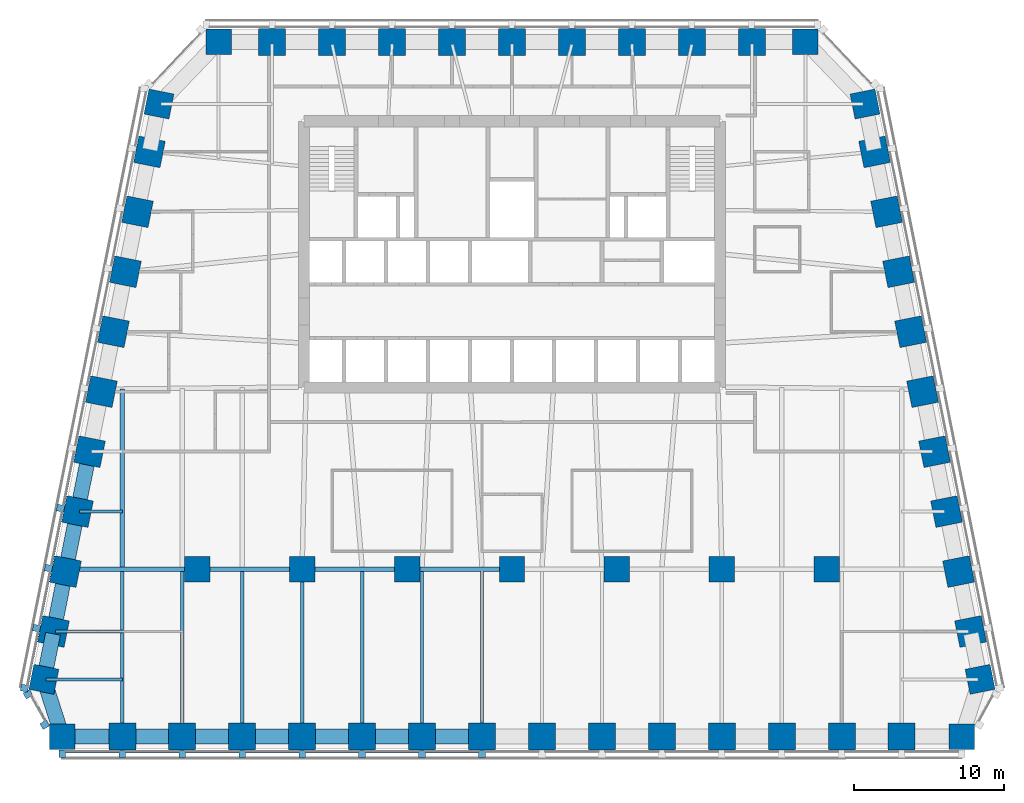
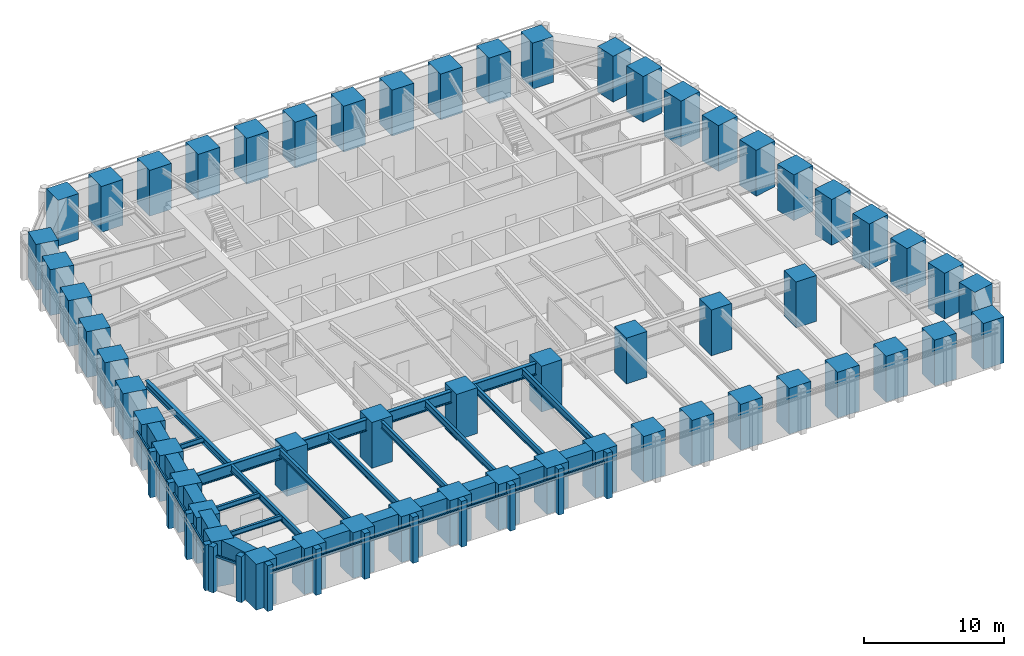
# One storey, part 1 of 10: 56 columns, 27 beams, 26 members, 3 elements without a shape of their own.
"""IFC4 building model written with IfcOpenShell, lengths in metres."""

from ifc_helpers import new_model, si_unit, direction, frame, origin, origin_2d, place, context, subcontext, project, spatial, rectangle, i_section, extrude, material, material_profile, profile_set, type_object, element, aggregate, save


model = new_model("IFC4")

# Units and contexts
model_context = context("Model", 3, precision=1e-05, world=origin(), true_north=direction((0.0, 1.0)))
body_context = subcontext(model_context, "Body", "Model", "MODEL_VIEW")
ifc_project = project(units=[si_unit("LENGTHUNIT", "METRE"), si_unit("AREAUNIT", "SQUARE_METRE"), si_unit("VOLUMEUNIT", "CUBIC_METRE"), si_unit("PLANEANGLEUNIT", "RADIAN"), si_unit("MASSUNIT", "GRAM", prefix="KILO")], contexts=[model_context])

# Site, building, storey
site_placement = place(None, origin())
site = spatial("IfcSite", under=ifc_project, at=site_placement, CompositionType="ELEMENT")
building_placement = place(site_placement, origin())
building = spatial("IfcBuilding", under=site, at=building_placement, Name="Isbrekke Arena Tower", CompositionType="ELEMENT")
storey_placement = place(building_placement, frame((0.0, 0.0, 123.0)))
storey = spatial("IfcBuildingStorey", under=building, at=storey_placement, Name="L27", CompositionType="ELEMENT", Elevation=123.0)

# Columns
ifc_material_1 = material(Name="Concrete B80 (C80/95)", Category="concrete")
ifc_material_profile_1 = material_profile(ifc_material_1, rectangle(XDim=1.699951171875, YDim=1.699951171875, at=origin_2d()), Name="RC 1700x1700")
ifc_profile_set_1 = profile_set([ifc_material_profile_1], Name="Concrete B80 (C80/95)")
column_type_1 = type_object("IfcColumnType", Name="C12 RC 1700 x 1700", PredefinedType="COLUMN", material=ifc_profile_set_1)
for number, where, z_axis, x_axis, name in (
    (1, (-21.0, -6.0, 0.0), (0.0, 0.0, 1.0), (1.0, 0.0, 0.0), "C12 I01"),
    (2, (-14.0, -6.0, 0.0), (0.0, 0.0, 1.0), (1.0, 0.0, 0.0), "C12 I02"),
    (3, (-7.0, -6.0, 0.0), (0.0, 0.0, 1.0), (1.0, 0.0, 0.0), "C12 I03"),
    (4, (0.0, -6.0, 0.0), (0.0, 0.0, 1.0), (1.0, 0.0, 0.0), "C12 I04"),
    (5, (7.0, -6.0, 0.0), (0.0, 0.0, 1.0), (1.0, 0.0, 0.0), "C12 I05"),
    (6, (14.0, -6.0, 0.0), (0.0, 0.0, 1.0), (1.0, 0.0, 0.0), "C12 I06"),
    (7, (21.0, -6.0, 0.0), (0.0, 0.0, 1.0), (1.0, 0.0, 0.0), "C12 I07"),
):
    element("IfcColumn", number, at=place(storey_placement, frame(where, z_axis=z_axis, x_axis=x_axis)), inside=storey, type_object=column_type_1, Name=name, PredefinedType="COLUMN", context=body_context, shape_type="SweptSolid", body=[
        extrude(rectangle(XDim=1.699951171875, YDim=1.699951171875, at=origin_2d()), origin(), (0.0, 0.0, 1.0), 4.0),
    ])
ifc_material_2 = material(Name="Concrete B80 (C80/95)", Category="concrete")
ifc_material_profile_2 = material_profile(ifc_material_2, rectangle(XDim=1.800048828125, YDim=1.800048828125, at=origin_2d()), Name="RC 1800x1800")
ifc_profile_set_2 = profile_set([ifc_material_profile_2], Name="Concrete B80 (C80/95)")
column_type_2 = type_object("IfcColumnType", Name="C3 RC 1800 x 1800", PredefinedType="COLUMN", material=ifc_profile_set_2)
for number, where, z_axis, x_axis, name in (
    (8, (-26.0, -17.175048828125, 0.0), (0.0, 0.0, 1.0), (1.0, 0.0, 0.0), "C3 S02"),
    (9, (-22.0, -17.175048828125, 0.0), (0.0, 0.0, 1.0), (1.0, 0.0, 0.0), "C3 S03"),
    (10, (-18.0, -17.175048828125, 0.0), (0.0, 0.0, 1.0), (1.0, 0.0, 0.0), "C3 S04"),
    (11, (-14.0, -17.175048828125, 0.0), (0.0, 0.0, 1.0), (1.0, 0.0, 0.0), "C3 S05"),
    (12, (-10.0, -17.175048828125, 0.0), (0.0, 0.0, 1.0), (1.0, 0.0, 0.0), "C3 S06"),
    (13, (-6.0, -17.175048828125, 0.0), (0.0, 0.0, 1.0), (1.0, 0.0, 0.0), "C3 S07"),
    (14, (-2.0, -17.175048828125, 0.0), (0.0, 0.0, 1.0), (1.0, 0.0, 0.0), "C3 S08"),
    (15, (2.0, -17.175048828125, 0.0), (0.0, 0.0, 1.0), (1.0, 0.0, 0.0), "C3 S09"),
    (16, (6.0, -17.175048828125, 0.0), (0.0, 0.0, 1.0), (1.0, 0.0, 0.0), "C3 S10"),
    (17, (10.0, -17.175048828125, 0.0), (0.0, 0.0, 1.0), (1.0, 0.0, 0.0), "C3 S11"),
    (18, (14.0, -17.175048828125, 0.0), (0.0, 0.0, 1.0), (1.0, 0.0, 0.0), "C3 S12"),
    (19, (18.0, -17.175048828125, 0.0), (0.0, 0.0, 1.0), (1.0, 0.0, 0.0), "C3 S13"),
    (20, (22.0, -17.175048828125, 0.0), (0.0, 0.0, 1.0), (1.0, 0.0, 0.0), "C3 S14"),
    (21, (26.0, -17.175048828125, 0.0), (0.0, 0.0, 1.0), (1.0, 0.0, 0.0), "C3 S15"),
    (22, (30.591064453125, -10.161865234375, 0.0), (0.0, 0.0, 1.0), (-0.196116135138, 0.980580675691, 0.0), "C3 E02"),
    (23, (29.791015625, -6.161865234375, 0.0), (0.0, 0.0, 1.0), (-0.196116135138, 0.980580675691, 0.0), "C3 E03"),
    (24, (28.990966796875, -2.161865234375, 0.0), (0.0, 0.0, 1.0), (-0.196116135138, 0.980580675691, 0.0), "C3 E04"),
    (25, (28.19091796875, 1.838134765625, 0.0), (0.0, 0.0, 1.0), (-0.196116135138, 0.980580675691, 0.0), "C3 E05"),
    (26, (27.39111328125, 5.838134765625, 0.0), (0.0, 0.0, 1.0), (-0.196116135138, 0.980580675691, 0.0), "C3 E06"),
    (27, (26.591064453125, 9.838134765625, 0.0), (0.0, 0.0, 1.0), (-0.196116135138, 0.980580675691, 0.0), "C3 E07"),
    (28, (25.791015625, 13.838134765625, 0.0), (0.0, 0.0, 1.0), (-0.196116135138, 0.980580675691, 0.0), "C3 E08"),
    (29, (24.990966796875, 17.838134765625, 0.0), (0.0, 0.0, 1.0), (-0.196116135138, 0.980580675691, 0.0), "C3 E09"),
    (30, (24.19091796875, 21.838134765625, 0.0), (0.0, 0.0, 1.0), (-0.196116135138, 0.980580675691, 0.0), "C3 E10"),
    (31, (16.0, 29.175048828125, 0.0), (0.0, 0.0, 1.0), (-1.0, 0.0, 0.0), "C3 N02"),
    (32, (12.0, 29.175048828125, 0.0), (0.0, 0.0, 1.0), (-1.0, 0.0, 0.0), "C3 N03"),
    (33, (8.0, 29.175048828125, 0.0), (0.0, 0.0, 1.0), (-1.0, 0.0, 0.0), "C3 N04"),
    (34, (4.0, 29.175048828125, 0.0), (0.0, 0.0, 1.0), (-1.0, 0.0, 0.0), "C3 N05"),
    (35, (0.0, 29.175048828125, 0.0), (0.0, 0.0, 1.0), (-1.0, 0.0, 0.0), "C3 N06"),
    (36, (-4.0, 29.175048828125, 0.0), (0.0, 0.0, 1.0), (-1.0, 0.0, 0.0), "C3 N07"),
    (37, (-8.0, 29.175048828125, 0.0), (0.0, 0.0, 1.0), (-1.0, 0.0, 0.0), "C3 N08"),
    (38, (-12.0, 29.175048828125, 0.0), (0.0, 0.0, 1.0), (-1.0, 0.0, 0.0), "C3 N09"),
    (39, (-16.0, 29.175048828125, 0.0), (0.0, 0.0, 1.0), (-1.0, 0.0, 0.0), "C3 N10"),
    (40, (-24.19091796875, 21.838134765625, 0.0), (0.0, 0.0, 1.0), (-0.196116135138, -0.980580675691, 0.0), "C3 W02"),
    (41, (-24.990966796875, 17.838134765625, 0.0), (0.0, 0.0, 1.0), (-0.196116135138, -0.980580675691, 0.0), "C3 W03"),
    (42, (-25.791015625, 13.838134765625, 0.0), (0.0, 0.0, 1.0), (-0.196116135138, -0.980580675691, 0.0), "C3 W04"),
    (43, (-26.591064453125, 9.838134765625, 0.0), (0.0, 0.0, 1.0), (-0.196116135138, -0.980580675691, 0.0), "C3 W05"),
    (44, (-27.39111328125, 5.838134765625, 0.0), (0.0, 0.0, 1.0), (-0.196116135138, -0.980580675691, 0.0), "C3 W06"),
    (45, (-28.19091796875, 1.838134765625, 0.0), (0.0, 0.0, 1.0), (-0.196116135138, -0.980580675691, 0.0), "C3 W07"),
    (46, (-28.990966796875, -2.161865234375, 0.0), (0.0, 0.0, 1.0), (-0.196116135138, -0.980580675691, 0.0), "C3 W08"),
    (47, (-29.791015625, -6.161865234375, 0.0), (0.0, 0.0, 1.0), (-0.196116135138, -0.980580675691, 0.0), "C3 W09"),
    (48, (-30.591064453125, -10.161865234375, 0.0), (0.0, 0.0, 1.0), (-0.196116135138, -0.980580675691, 0.0), "C3 W10"),
):
    element("IfcColumn", number, at=place(storey_placement, frame(where, z_axis=z_axis, x_axis=x_axis)), inside=storey, type_object=column_type_2, Name=name, PredefinedType="COLUMN", context=body_context, shape_type="SweptSolid", body=[
        extrude(rectangle(XDim=1.800048828125, YDim=1.800048828125, at=origin_2d()), origin(), (0.0, 0.0, 1.0), 4.0),
    ])
ifc_material_3 = material(Name="Concrete B80 (C80/95)", Category="concrete")
ifc_material_profile_3 = material_profile(ifc_material_3, rectangle(XDim=1.699951171875, YDim=1.699951171875, at=origin_2d()), Name="RC 1700x1700")
ifc_profile_set_3 = profile_set([ifc_material_profile_3], Name="Concrete B80 (C80/95)")
column_type_3 = type_object("IfcColumnType", Name="C7 RC 1700 x 1700", PredefinedType="COLUMN", material=ifc_profile_set_3)
for number, where, z_axis, x_axis, name in (
    (49, (-30.0, -17.175048828125, 0.0), (0.0, 0.0, 1.0), (1.0, 0.0, 0.0), "C7 S01"),
    (50, (30.0, -17.175048828125, 0.0), (0.0, 0.0, 1.0), (1.0, 0.0, 0.0), "C7 S16"),
    (51, (31.229248046875, -13.352783203125, 0.0), (0.0, 0.0, 1.0), (-0.196116135138, 0.980580675691, 0.0), "C7 E01"),
    (52, (23.552734375, 25.029296875, 0.0), (0.0, 0.0, 1.0), (-0.196116135138, 0.980580675691, 0.0), "C7 E11"),
    (53, (19.574951171875, 29.175048828125, 0.0), (0.0, 0.0, 1.0), (-1.0, 0.0, 0.0), "C7 N01"),
    (54, (-19.574951171875, 29.175048828125, 0.0), (0.0, 0.0, 1.0), (-1.0, 0.0, 0.0), "C7 N11"),
    (55, (-23.552734375, 25.029296875, 0.0), (0.0, 0.0, 1.0), (-0.196116135138, -0.980580675691, 0.0), "C7 W01"),
    (56, (-31.229248046875, -13.352783203125, 0.0), (0.0, 0.0, 1.0), (-0.196116135138, -0.980580675691, 0.0), "C7 W11"),
):
    element("IfcColumn", number, at=place(storey_placement, frame(where, z_axis=z_axis, x_axis=x_axis)), inside=storey, type_object=column_type_3, Name=name, PredefinedType="COLUMN", context=body_context, shape_type="SweptSolid", body=[
        extrude(rectangle(XDim=1.699951171875, YDim=1.699951171875, at=origin_2d()), origin(), (0.0, 0.0, 1.0), 4.0),
    ])

# Beams
ifc_material_4 = material(Name="Steel S355", Category="steel")
ifc_material_profile_4 = material_profile(ifc_material_4, i_section(OverallWidth=0.219970703125, OverallDepth=0.60009765625, WebThickness=0.011962890625, FlangeThickness=0.01904296875, FilletRadius=0.02392578125, at=origin_2d()), Name="IPE 600")
ifc_profile_set_4 = profile_set([ifc_material_profile_4], Name="Steel S355")
beam_type_1 = type_object("IfcBeamType", Name="B1 IPE 600", PredefinedType="BEAM", material=ifc_profile_set_4)
for number, where, z_axis, x_axis, name in (
    (57, (-26.0, -17.02490234375, 3.550048828125), (0.0, 1.0, 0.0), (-1.0, 0.0, 0.0), "B1 beam S-S02 L27"),
    (58, (-22.0, -17.02490234375, 3.550048828125), (0.0, 1.0, 0.0), (-1.0, 0.0, 0.0), "B1 beam S-S03 L27"),
    (59, (-18.0, -17.02490234375, 3.550048828125), (0.0, 1.0, 0.0), (-1.0, 0.0, 0.0), "B1 beam S-S04 L27"),
):
    element("IfcBeam", number, at=place(storey_placement, frame(where, z_axis=z_axis, x_axis=x_axis)), inside=storey, type_object=beam_type_1, Name=name, PredefinedType="BEAM", context=body_context, shape_type="SweptSolid", body=[
        extrude(i_section(OverallWidth=0.219970703125, OverallDepth=0.60009765625, WebThickness=0.011962890625, FlangeThickness=0.01904296875, FilletRadius=0.02392578125, at=origin_2d()), origin(), (0.0, 0.0, 1.0), 10.8740234375),
    ])
beam_1_placement = place(storey_placement, frame((-14.0, -17.02490234375, 3.550048828125), z_axis=(0.0, 1.0, 0.0), x_axis=(-1.0, 0.0, 0.0)))
element("IfcBeam", 60, at=beam_1_placement, inside=storey, type_object=beam_type_1, Name="B1 beam S-S05 L27", PredefinedType="BEAM", context=body_context, shape_type="SweptSolid", body=[
    extrude(i_section(OverallWidth=0.219970703125, OverallDepth=0.60009765625, WebThickness=0.011962890625, FlangeThickness=0.01904296875, FilletRadius=0.02392578125, at=origin_2d()), origin(), (0.0, 0.0, 1.0), 10.875),
])
for number, where, z_axis, x_axis, name in (
    (61, (-10.0, -17.02490234375, 3.550048828125), (0.0, 1.0, 0.0), (-1.0, 0.0, 0.0), "B1 beam S-S06 L27"),
    (62, (-6.0, -17.02490234375, 3.550048828125), (0.0, 1.0, 0.0), (-1.0, 0.0, 0.0), "B1 beam S-S07 L27"),
    (63, (-2.0, -17.02490234375, 3.550048828125), (0.0, 1.0, 0.0), (-1.0, 0.0, 0.0), "B1 beam S-S08 L27"),
):
    element("IfcBeam", number, at=place(storey_placement, frame(where, z_axis=z_axis, x_axis=x_axis)), inside=storey, type_object=beam_type_1, Name=name, PredefinedType="BEAM", context=body_context, shape_type="SweptSolid", body=[
        extrude(i_section(OverallWidth=0.219970703125, OverallDepth=0.60009765625, WebThickness=0.011962890625, FlangeThickness=0.01904296875, FilletRadius=0.02392578125, at=origin_2d()), origin(), (0.0, 0.0, 1.0), 10.8740234375),
    ])
ifc_material_5 = material(Name="Steel S355", Category="steel")
ifc_material_profile_5 = material_profile(ifc_material_5, i_section(OverallWidth=0.18994140625, OverallDepth=0.449951171875, WebThickness=0.009521484375, FlangeThickness=0.0146484375, FilletRadius=0.02099609375, at=origin_2d()), Name="IPE 450")
ifc_profile_set_5 = profile_set([ifc_material_profile_5], Name="Steel S355")
beam_type_2 = type_object("IfcBeamType", Name="B2 IPE 450", PredefinedType="BEAM", material=ifc_profile_set_5)
beam_2_placement = place(storey_placement, frame((-28.841064453125, -2.161865234375, 3.625), z_axis=(1.0, 0.0, 0.0), x_axis=(0.0, 1.0, 0.0)))
element("IfcBeam", 64, at=beam_2_placement, inside=storey, type_object=beam_type_2, Name="B2 beam E-W08 L27", PredefinedType="BEAM", context=body_context, shape_type="SweptSolid", body=[
    extrude(i_section(OverallWidth=0.18994140625, OverallDepth=0.449951171875, WebThickness=0.009521484375, FlangeThickness=0.0146484375, FilletRadius=0.02099609375, at=origin_2d()), origin(), (0.0, 0.0, 1.0), 2.841064453125),
])
beam_3_placement = place(storey_placement, frame((-30.44091796875, -10.161865234375, 3.625), z_axis=(1.0, 0.0, 0.0), x_axis=(0.0, 1.0, 0.0)))
element("IfcBeam", 65, at=beam_3_placement, inside=storey, type_object=beam_type_2, Name="B2 beam E-W10 L27", PredefinedType="BEAM", context=body_context, shape_type="SweptSolid", body=[
    extrude(i_section(OverallWidth=0.18994140625, OverallDepth=0.449951171875, WebThickness=0.009521484375, FlangeThickness=0.0146484375, FilletRadius=0.02099609375, at=origin_2d()), origin(), (0.0, 0.0, 1.0), 4.44091796875),
])
beam_4_placement = place(storey_placement, frame((-31.079345703125, -13.352783203125, 3.625), z_axis=(1.0, 0.0, 0.0), x_axis=(0.0, 1.0, 0.0)))
element("IfcBeam", 66, at=beam_4_placement, inside=storey, type_object=beam_type_2, Name="B2 beam E-W11 L27", PredefinedType="BEAM", context=body_context, shape_type="SweptSolid", body=[
    extrude(i_section(OverallWidth=0.18994140625, OverallDepth=0.449951171875, WebThickness=0.009521484375, FlangeThickness=0.0146484375, FilletRadius=0.02099609375, at=origin_2d()), origin(), (0.0, 0.0, 1.0), 5.079345703125),
])
ifc_material_6 = material(Name="Steel S355", Category="steel")
ifc_material_profile_6 = material_profile(ifc_material_6, i_section(OverallWidth=0.300048828125, OverallDepth=0.60009765625, WebThickness=0.015380859375, FlangeThickness=0.030029296875, FilletRadius=0.027099609375, at=origin_2d()), Name="HEB 600")
ifc_profile_set_6 = profile_set([ifc_material_profile_6], Name="Steel S355")
beam_type_3 = type_object("IfcBeamType", Name="B7 HEB 600", PredefinedType="BEAM", material=ifc_profile_set_6)
beam_5_placement = place(storey_placement, frame((-26.0, -5.84912109375, 3.550048828125), z_axis=(0.0, 1.0, 0.0), x_axis=(-1.0, 0.0, 0.0)))
element("IfcBeam", 67, at=beam_5_placement, inside=storey, type_object=beam_type_3, Name="B7 beam C-M01 L27", PredefinedType="BEAM", context=body_context, shape_type="SweptSolid", body=[
    extrude(i_section(OverallWidth=0.300048828125, OverallDepth=0.60009765625, WebThickness=0.015380859375, FlangeThickness=0.030029296875, FilletRadius=0.027099609375, at=origin_2d()), origin(), (0.0, 0.0, 1.0), 11.864990234375),
])

# Curtain wall, members
ifc_material_7 = material(Name="Glazed aluminium curtain wall", Category="aluminium")
curtain_wall_type = type_object("IfcCurtainWallType", Name="CWM TOWER CURTAIN WALL MID ZONE", PredefinedType="USERDEFINED", material=ifc_material_7)
curtain_wall_1_placement = place(storey_placement, origin())
curtain_wall_1 = element("IfcCurtainWall", 68, at=curtain_wall_1_placement, inside=storey, type_object=curtain_wall_type, Name="CWM curtain wall L27-S", ObjectType="TOWER CURTAIN WALL MID ZONE", PredefinedType="USERDEFINED")
ifc_material_8 = material(Name="Aluminium mullion, pale brick slip cladding", Category="masonry")
ifc_material_profile_7 = material_profile(ifc_material_8, rectangle(XDim=0.449951171875, YDim=0.5, at=origin_2d()), Name="PIER 450X500")
ifc_profile_set_7 = profile_set([ifc_material_profile_7], Name="Aluminium mullion, pale brick slip cladding")
member_type_1 = type_object("IfcMemberType", Name="CWM-M PIER MULLION 450 x 500", PredefinedType="MULLION", material=ifc_profile_set_7)
member_1_placement = place(storey_placement, frame((-30.0, -18.324951171875, 0.0), z_axis=(0.0, 0.0, 1.0), x_axis=(1.0, 0.0, 0.0)))
member_1 = element("IfcMember", 69, at=member_1_placement, type_object=member_type_1, Name="CWM-M mullion 1", PredefinedType="MULLION", context=body_context, shape_type="SweptSolid", body=[
    extrude(rectangle(XDim=0.449951171875, YDim=0.5, at=origin_2d()), origin(), (0.0, 0.0, 1.0), 4.0),
])
member_2_placement = place(storey_placement, frame((-26.0, -18.324951171875, 0.0), z_axis=(0.0, 0.0, 1.0), x_axis=(1.0, 0.0, 0.0)))
member_2 = element("IfcMember", 70, at=member_2_placement, type_object=member_type_1, Name="CWM-M mullion 2", PredefinedType="MULLION", context=body_context, shape_type="SweptSolid", body=[
    extrude(rectangle(XDim=0.449951171875, YDim=0.5, at=origin_2d()), origin(), (0.0, 0.0, 1.0), 4.0),
])
member_3_placement = place(storey_placement, frame((-22.0, -18.324951171875, 0.0), z_axis=(0.0, 0.0, 1.0), x_axis=(1.0, 0.0, 0.0)))
member_3 = element("IfcMember", 71, at=member_3_placement, type_object=member_type_1, Name="CWM-M mullion 3", PredefinedType="MULLION", context=body_context, shape_type="SweptSolid", body=[
    extrude(rectangle(XDim=0.449951171875, YDim=0.5, at=origin_2d()), origin(), (0.0, 0.0, 1.0), 4.0),
])
member_4_placement = place(storey_placement, frame((-18.0, -18.324951171875, 0.0), z_axis=(0.0, 0.0, 1.0), x_axis=(1.0, 0.0, 0.0)))
member_4 = element("IfcMember", 72, at=member_4_placement, type_object=member_type_1, Name="CWM-M mullion 4", PredefinedType="MULLION", context=body_context, shape_type="SweptSolid", body=[
    extrude(rectangle(XDim=0.449951171875, YDim=0.5, at=origin_2d()), origin(), (0.0, 0.0, 1.0), 4.0),
])
member_5_placement = place(storey_placement, frame((-14.0, -18.324951171875, 0.0), z_axis=(0.0, 0.0, 1.0), x_axis=(1.0, 0.0, 0.0)))
member_5 = element("IfcMember", 73, at=member_5_placement, type_object=member_type_1, Name="CWM-M mullion 5", PredefinedType="MULLION", context=body_context, shape_type="SweptSolid", body=[
    extrude(rectangle(XDim=0.449951171875, YDim=0.5, at=origin_2d()), origin(), (0.0, 0.0, 1.0), 4.0),
])
member_6_placement = place(storey_placement, frame((-10.0, -18.324951171875, 0.0), z_axis=(0.0, 0.0, 1.0), x_axis=(1.0, 0.0, 0.0)))
member_6 = element("IfcMember", 74, at=member_6_placement, type_object=member_type_1, Name="CWM-M mullion 6", PredefinedType="MULLION", context=body_context, shape_type="SweptSolid", body=[
    extrude(rectangle(XDim=0.449951171875, YDim=0.5, at=origin_2d()), origin(), (0.0, 0.0, 1.0), 4.0),
])
member_7_placement = place(storey_placement, frame((-6.0, -18.324951171875, 0.0), z_axis=(0.0, 0.0, 1.0), x_axis=(1.0, 0.0, 0.0)))
member_7 = element("IfcMember", 75, at=member_7_placement, type_object=member_type_1, Name="CWM-M mullion 7", PredefinedType="MULLION", context=body_context, shape_type="SweptSolid", body=[
    extrude(rectangle(XDim=0.449951171875, YDim=0.5, at=origin_2d()), origin(), (0.0, 0.0, 1.0), 4.0),
])
member_8_placement = place(storey_placement, frame((-2.0, -18.324951171875, 0.0), z_axis=(0.0, 0.0, 1.0), x_axis=(1.0, 0.0, 0.0)))
member_8 = element("IfcMember", 76, at=member_8_placement, type_object=member_type_1, Name="CWM-M mullion 8", PredefinedType="MULLION", context=body_context, shape_type="SweptSolid", body=[
    extrude(rectangle(XDim=0.449951171875, YDim=0.5, at=origin_2d()), origin(), (0.0, 0.0, 1.0), 4.0),
])

curtain_wall_2_placement = place(storey_placement, origin())
curtain_wall_2 = element("IfcCurtainWall", 77, at=curtain_wall_2_placement, inside=storey, type_object=curtain_wall_type, Name="CWM curtain wall L27-W", ObjectType="TOWER CURTAIN WALL MID ZONE", PredefinedType="USERDEFINED")
member_9_placement = place(storey_placement, frame((-30.11865234375, -1.936279296875, 0.0), z_axis=(0.0, 0.0, 1.0), x_axis=(-0.196116135138, -0.980580675691, 0.0)))
member_9 = element("IfcMember", 78, at=member_9_placement, type_object=member_type_1, Name="CWM-M mullion 8", PredefinedType="MULLION", context=body_context, shape_type="SweptSolid", body=[
    extrude(rectangle(XDim=0.449951171875, YDim=0.5, at=origin_2d()), origin(), (0.0, 0.0, 1.0), 4.0),
])
member_10_placement = place(storey_placement, frame((-30.918701171875, -5.936279296875, 0.0), z_axis=(0.0, 0.0, 1.0), x_axis=(-0.196116135138, -0.980580675691, 0.0)))
member_10 = element("IfcMember", 79, at=member_10_placement, type_object=member_type_1, Name="CWM-M mullion 9", PredefinedType="MULLION", context=body_context, shape_type="SweptSolid", body=[
    extrude(rectangle(XDim=0.449951171875, YDim=0.5, at=origin_2d()), origin(), (0.0, 0.0, 1.0), 4.0),
])
member_11_placement = place(storey_placement, frame((-31.71875, -9.936279296875, 0.0), z_axis=(0.0, 0.0, 1.0), x_axis=(-0.196116135138, -0.980580675691, 0.0)))
member_11 = element("IfcMember", 80, at=member_11_placement, type_object=member_type_1, Name="CWM-M mullion 10", PredefinedType="MULLION", context=body_context, shape_type="SweptSolid", body=[
    extrude(rectangle(XDim=0.449951171875, YDim=0.5, at=origin_2d()), origin(), (0.0, 0.0, 1.0), 4.0),
])
member_12_placement = place(storey_placement, frame((-32.518798828125, -13.936279296875, 0.0), z_axis=(0.0, 0.0, 1.0), x_axis=(-0.196116135138, -0.980580675691, 0.0)))
member_12 = element("IfcMember", 81, at=member_12_placement, type_object=member_type_1, Name="CWM-M mullion 11", PredefinedType="MULLION", context=body_context, shape_type="SweptSolid", body=[
    extrude(rectangle(XDim=0.449951171875, YDim=0.5, at=origin_2d()), origin(), (0.0, 0.0, 1.0), 4.0),
])

curtain_wall_3_placement = place(storey_placement, origin())
curtain_wall_3 = element("IfcCurtainWall", 82, at=curtain_wall_3_placement, inside=storey, type_object=curtain_wall_type, Name="CWM curtain wall L27-WS", ObjectType="TOWER CURTAIN WALL MID ZONE", PredefinedType="USERDEFINED")
member_13_placement = place(storey_placement, frame((-32.29638671875, -14.34326171875, 0.0), z_axis=(0.0, 0.0, 1.0), x_axis=(0.481918749773, -0.876215908676, 0.0)))
member_13 = element("IfcMember", 83, at=member_13_placement, type_object=member_type_1, Name="CWM-M mullion 1", PredefinedType="MULLION", context=body_context, shape_type="SweptSolid", body=[
    extrude(rectangle(XDim=0.449951171875, YDim=0.5, at=origin_2d()), origin(), (0.0, 0.0, 1.0), 4.0),
])
member_14_placement = place(storey_placement, frame((-31.174560546875, -16.38330078125, 0.0), z_axis=(0.0, 0.0, 1.0), x_axis=(0.481918749773, -0.876215908676, 0.0)))
member_14 = element("IfcMember", 84, at=member_14_placement, type_object=member_type_1, Name="CWM-M mullion 2", PredefinedType="MULLION", context=body_context, shape_type="SweptSolid", body=[
    extrude(rectangle(XDim=0.449951171875, YDim=0.5, at=origin_2d()), origin(), (0.0, 0.0, 1.0), 4.0),
])

# Member
ifc_material_9 = material(Name="Aluminium transom", Category="aluminium")
ifc_material_profile_8 = material_profile(ifc_material_9, rectangle(XDim=0.1201171875, YDim=0.199951171875, at=origin_2d()), Name="TRANSOM 120X200")
ifc_profile_set_8 = profile_set([ifc_material_profile_8], Name="Aluminium transom")
member_type_2 = type_object("IfcMemberType", Name="CWM-T TRANSOM 120 x 200", PredefinedType="USERDEFINED", material=ifc_profile_set_8)
member_15_placement = place(storey_placement, frame((-29.77490234375, -18.175048828125, 3.0), z_axis=(1.0, 0.0, 0.0), x_axis=(0.0, 1.0, 0.0)))
member_15 = element("IfcMember", 85, at=member_15_placement, type_object=member_type_2, Name="CWM-T transom 1", ObjectType="TRANSOM", PredefinedType="USERDEFINED", context=body_context, shape_type="SweptSolid", body=[
    extrude(rectangle(XDim=0.1201171875, YDim=0.199951171875, at=origin_2d()), origin(), (0.0, 0.0, 1.0), 3.5498046875),
])

member_16_placement = place(storey_placement, frame((-25.77490234375, -18.175048828125, 3.0), z_axis=(1.0, 0.0, 0.0), x_axis=(0.0, 1.0, 0.0)))
member_16 = element("IfcMember", 86, at=member_16_placement, type_object=member_type_2, Name="CWM-T transom 2", ObjectType="TRANSOM", PredefinedType="USERDEFINED", context=body_context, shape_type="SweptSolid", body=[
    extrude(rectangle(XDim=0.1201171875, YDim=0.199951171875, at=origin_2d()), origin(), (0.0, 0.0, 1.0), 3.5498046875),
])

member_17_placement = place(storey_placement, frame((-21.77490234375, -18.175048828125, 3.0), z_axis=(1.0, 0.0, 0.0), x_axis=(0.0, 1.0, 0.0)))
member_17 = element("IfcMember", 87, at=member_17_placement, type_object=member_type_2, Name="CWM-T transom 3", ObjectType="TRANSOM", PredefinedType="USERDEFINED", context=body_context, shape_type="SweptSolid", body=[
    extrude(rectangle(XDim=0.1201171875, YDim=0.199951171875, at=origin_2d()), origin(), (0.0, 0.0, 1.0), 3.5498046875),
])

member_18_placement = place(storey_placement, frame((-17.77490234375, -18.175048828125, 3.0), z_axis=(1.0, 0.0, 0.0), x_axis=(0.0, 1.0, 0.0)))
member_18 = element("IfcMember", 88, at=member_18_placement, type_object=member_type_2, Name="CWM-T transom 4", ObjectType="TRANSOM", PredefinedType="USERDEFINED", context=body_context, shape_type="SweptSolid", body=[
    extrude(rectangle(XDim=0.1201171875, YDim=0.199951171875, at=origin_2d()), origin(), (0.0, 0.0, 1.0), 3.5498046875),
])

member_19_placement = place(storey_placement, frame((-13.77490234375, -18.175048828125, 3.0), z_axis=(1.0, 0.0, 0.0), x_axis=(0.0, 1.0, 0.0)))
member_19 = element("IfcMember", 89, at=member_19_placement, type_object=member_type_2, Name="CWM-T transom 5", ObjectType="TRANSOM", PredefinedType="USERDEFINED", context=body_context, shape_type="SweptSolid", body=[
    extrude(rectangle(XDim=0.1201171875, YDim=0.199951171875, at=origin_2d()), origin(), (0.0, 0.0, 1.0), 3.5498046875),
])

member_20_placement = place(storey_placement, frame((-9.77490234375, -18.175048828125, 3.0), z_axis=(1.0, 0.0, 0.0), x_axis=(0.0, 1.0, 0.0)))
member_20 = element("IfcMember", 90, at=member_20_placement, type_object=member_type_2, Name="CWM-T transom 6", ObjectType="TRANSOM", PredefinedType="USERDEFINED", context=body_context, shape_type="SweptSolid", body=[
    extrude(rectangle(XDim=0.1201171875, YDim=0.199951171875, at=origin_2d()), origin(), (0.0, 0.0, 1.0), 3.5498046875),
])

member_21_placement = place(storey_placement, frame((-5.77490234375, -18.175048828125, 3.0), z_axis=(1.0, 0.0, 0.0), x_axis=(0.0, 1.0, 0.0)))
member_21 = element("IfcMember", 91, at=member_21_placement, type_object=member_type_2, Name="CWM-T transom 7", ObjectType="TRANSOM", PredefinedType="USERDEFINED", context=body_context, shape_type="SweptSolid", body=[
    extrude(rectangle(XDim=0.1201171875, YDim=0.199951171875, at=origin_2d()), origin(), (0.0, 0.0, 1.0), 3.5498046875),
])

aggregate(curtain_wall_1, [member_1, member_2, member_3, member_4, member_5, member_6, member_7, member_8, member_15, member_16, member_17, member_18, member_19, member_20, member_21])

member_22_placement = place(storey_placement, frame((-29.2158203125, 1.813720703125, 3.0), z_axis=(-0.196090262229, -0.980585849918, 0.0), x_axis=(0.980585849918, -0.196090262229, 0.0)))
member_22 = element("IfcMember", 92, at=member_22_placement, type_object=member_type_2, Name="CWM-T transom 7", ObjectType="TRANSOM", PredefinedType="USERDEFINED", context=body_context, shape_type="SweptSolid", body=[
    extrude(rectangle(XDim=0.1201171875, YDim=0.199951171875, at=origin_2d()), origin(), (0.0, 0.0, 1.0), 3.62939453125),
])

member_23_placement = place(storey_placement, frame((-30.015625, -2.186279296875, 3.0), z_axis=(-0.196154943734, -0.980572913173, 0.0), x_axis=(0.980572913173, -0.196154943734, 0.0)))
member_23 = element("IfcMember", 93, at=member_23_placement, type_object=member_type_2, Name="CWM-T transom 8", ObjectType="TRANSOM", PredefinedType="USERDEFINED", context=body_context, shape_type="SweptSolid", body=[
    extrude(rectangle(XDim=0.1201171875, YDim=0.199951171875, at=origin_2d()), origin(), (0.0, 0.0, 1.0), 3.62939453125),
])

member_24_placement = place(storey_placement, frame((-30.815673828125, -6.186279296875, 3.0), z_axis=(-0.196154943734, -0.980572913173, 0.0), x_axis=(0.980572913173, -0.196154943734, 0.0)))
member_24 = element("IfcMember", 94, at=member_24_placement, type_object=member_type_2, Name="CWM-T transom 9", ObjectType="TRANSOM", PredefinedType="USERDEFINED", context=body_context, shape_type="SweptSolid", body=[
    extrude(rectangle(XDim=0.1201171875, YDim=0.199951171875, at=origin_2d()), origin(), (0.0, 0.0, 1.0), 3.62939453125),
])

member_25_placement = place(storey_placement, frame((-31.61572265625, -10.186279296875, 3.0), z_axis=(-0.196090262229, -0.980585849918, 0.0), x_axis=(0.980585849918, -0.196090262229, 0.0)))
member_25 = element("IfcMember", 95, at=member_25_placement, type_object=member_type_2, Name="CWM-T transom 10", ObjectType="TRANSOM", PredefinedType="USERDEFINED", context=body_context, shape_type="SweptSolid", body=[
    extrude(rectangle(XDim=0.1201171875, YDim=0.199951171875, at=origin_2d()), origin(), (0.0, 0.0, 1.0), 3.62939453125),
])

aggregate(curtain_wall_2, [member_9, member_10, member_11, member_12, member_22, member_23, member_24, member_25])

member_26_placement = place(storey_placement, frame((-32.056640625, -14.46826171875, 3.0), z_axis=(0.481918749772, -0.876215908677, 0.0), x_axis=(0.876215908677, 0.481918749772, 0.0)))
member_26 = element("IfcMember", 96, at=member_26_placement, type_object=member_type_2, Name="CWM-T transom 1", ObjectType="TRANSOM", PredefinedType="USERDEFINED", context=body_context, shape_type="SweptSolid", body=[
    extrude(rectangle(XDim=0.1201171875, YDim=0.199951171875, at=origin_2d()), origin(), (0.0, 0.0, 1.0), 1.8779296875),
])

aggregate(curtain_wall_3, [member_13, member_14, member_26])

# Beams
ifc_material_10 = material(Name="Steel S355", Category="steel")
ifc_material_profile_9 = material_profile(ifc_material_10, i_section(OverallWidth=0.302001953125, OverallDepth=1.008056640625, WebThickness=0.02099609375, FlangeThickness=0.0400390625, FilletRadius=0.030029296875, at=origin_2d()), Name="HEM 1000")
ifc_profile_set_9 = profile_set([ifc_material_profile_9], Name="Steel S355")
beam_type_4 = type_object("IfcBeamType", Name="G1 HEM 1000", PredefinedType="BEAM", material=ifc_profile_set_9)
beam_6_placement = place(storey_placement, frame((-29.791015625, -6.0, 3.345947265625), z_axis=(1.0, 0.0, 0.0), x_axis=(0.0, 1.0, 0.0)))
element("IfcBeam", 97, at=beam_6_placement, inside=storey, type_object=beam_type_4, Name="G1 beam G1-01 L27", PredefinedType="BEAM", context=body_context, shape_type="SweptSolid", body=[
    extrude(i_section(OverallWidth=0.302001953125, OverallDepth=1.008056640625, WebThickness=0.02099609375, FlangeThickness=0.0400390625, FilletRadius=0.030029296875, at=origin_2d()), origin(), (0.0, 0.0, 1.0), 8.64111328125),
])
for number, where, z_axis, x_axis, name in (
    (98, (-20.85009765625, -6.0, 3.345947265625), (1.0, 0.0, 0.0), (0.0, 1.0, 0.0), "G1 beam G1-02 L27"),
    (99, (-13.85009765625, -6.0, 3.345947265625), (1.0, 0.0, 0.0), (0.0, 1.0, 0.0), "G1 beam G1-03 L27"),
    (100, (-6.85009765625, -6.0, 3.345947265625), (1.0, 0.0, 0.0), (0.0, 1.0, 0.0), "G1 beam G1-04 L27"),
):
    element("IfcBeam", number, at=place(storey_placement, frame(where, z_axis=z_axis, x_axis=x_axis)), inside=storey, type_object=beam_type_4, Name=name, PredefinedType="BEAM", context=body_context, shape_type="SweptSolid", body=[
        extrude(i_section(OverallWidth=0.302001953125, OverallDepth=1.008056640625, WebThickness=0.02099609375, FlangeThickness=0.0400390625, FilletRadius=0.030029296875, at=origin_2d()), origin(), (0.0, 0.0, 1.0), 6.7001953125),
    ])
ifc_material_11 = material(Name="Concrete B80 (C80/95)", Category="concrete")
ifc_material_profile_10 = material_profile(ifc_material_11, rectangle(XDim=1.0, YDim=1.60009765625, at=origin_2d()), Name="RC 1000x1600")
ifc_profile_set_10 = profile_set([ifc_material_profile_10], Name="Concrete B80 (C80/95)")
beam_type_5 = type_object("IfcBeamType", Name="SB2 RC 1000 x 1600", PredefinedType="SPANDREL", material=ifc_profile_set_10)
for number, where, z_axis, x_axis, name in (
    (101, (-29.85009765625, -17.175048828125, 3.199951171875), (1.0, 0.0, 0.0), (0.0, 1.0, 0.0), "SB2 spandrel S01-S02 L27"),
    (102, (-25.85009765625, -17.175048828125, 3.199951171875), (1.0, 0.0, 0.0), (0.0, 1.0, 0.0), "SB2 spandrel S02-S03 L27"),
    (103, (-21.85009765625, -17.175048828125, 3.199951171875), (1.0, 0.0, 0.0), (0.0, 1.0, 0.0), "SB2 spandrel S03-S04 L27"),
    (104, (-17.85009765625, -17.175048828125, 3.199951171875), (1.0, 0.0, 0.0), (0.0, 1.0, 0.0), "SB2 spandrel S04-S05 L27"),
    (105, (-13.85009765625, -17.175048828125, 3.199951171875), (1.0, 0.0, 0.0), (0.0, 1.0, 0.0), "SB2 spandrel S05-S06 L27"),
    (106, (-9.85009765625, -17.175048828125, 3.199951171875), (1.0, 0.0, 0.0), (0.0, 1.0, 0.0), "SB2 spandrel S06-S07 L27"),
    (107, (-5.85009765625, -17.175048828125, 3.199951171875), (1.0, 0.0, 0.0), (0.0, 1.0, 0.0), "SB2 spandrel S07-S08 L27"),
):
    element("IfcBeam", number, at=place(storey_placement, frame(where, z_axis=z_axis, x_axis=x_axis)), inside=storey, type_object=beam_type_5, Name=name, PredefinedType="SPANDREL", context=body_context, shape_type="SweptSolid", body=[
        extrude(rectangle(XDim=1.0, YDim=1.60009765625, at=origin_2d()), origin(), (0.0, 0.0, 1.0), 3.7001953125),
    ])
for number, where, z_axis, x_axis, name in (
    (108, (-28.220458984375, 1.691162109375, 3.199951171875), (-0.196128558387, -0.980578190959, 0.0), (0.980578190959, -0.196128558387, 0.0), "SB2 spandrel W07-W08 L27"),
    (109, (-29.0205078125, -2.308837890625, 3.199951171875), (-0.196128558387, -0.980578190959, 0.0), (0.980578190959, -0.196128558387, 0.0), "SB2 spandrel W08-W09 L27"),
):
    element("IfcBeam", number, at=place(storey_placement, frame(where, z_axis=z_axis, x_axis=x_axis)), inside=storey, type_object=beam_type_5, Name=name, PredefinedType="SPANDREL", context=body_context, shape_type="SweptSolid", body=[
        extrude(rectangle(XDim=1.0, YDim=1.60009765625, at=origin_2d()), origin(), (0.0, 0.0, 1.0), 3.779296875),
    ])
beam_7_placement = place(storey_placement, frame((-29.820556640625, -6.308837890625, 3.199951171875), z_axis=(-0.1960664412, -0.980590613169, 0.0), x_axis=(0.980590613169, -0.1960664412, 0.0)))
element("IfcBeam", 110, at=beam_7_placement, inside=storey, type_object=beam_type_5, Name="SB2 spandrel W09-W10 L27", PredefinedType="SPANDREL", context=body_context, shape_type="SweptSolid", body=[
    extrude(rectangle(XDim=1.0, YDim=1.60009765625, at=origin_2d()), origin(), (0.0, 0.0, 1.0), 3.779052734375),
])
beam_8_placement = place(storey_placement, frame((-30.620361328125, -10.308837890625, 3.199951171875), z_axis=(-0.196100243168, -0.980583853951, 0.0), x_axis=(0.980583853951, -0.196100243168, 0.0)))
element("IfcBeam", 111, at=beam_8_placement, inside=storey, type_object=beam_type_5, Name="SB2 spandrel W10-W11 L27", PredefinedType="SPANDREL", context=body_context, shape_type="SweptSolid", body=[
    extrude(rectangle(XDim=1.0, YDim=1.60009765625, at=origin_2d()), origin(), (0.0, 0.0, 1.0), 2.954345703125),
])
beam_9_placement = place(storey_placement, frame((-31.183349609375, -13.49560546875, 3.199951171875), z_axis=(0.306175101476, -0.951975213562, 0.0), x_axis=(0.951975213562, 0.306175101476, 0.0)))
element("IfcBeam", 112, at=beam_9_placement, inside=storey, type_object=beam_type_5, Name="SB2 spandrel W11-S01 L27", PredefinedType="SPANDREL", context=body_context, shape_type="SweptSolid", body=[
    extrude(rectangle(XDim=1.0, YDim=1.60009765625, at=origin_2d()), origin(), (0.0, 0.0, 1.0), 3.715087890625),
])

save(model, "model.ifc")
